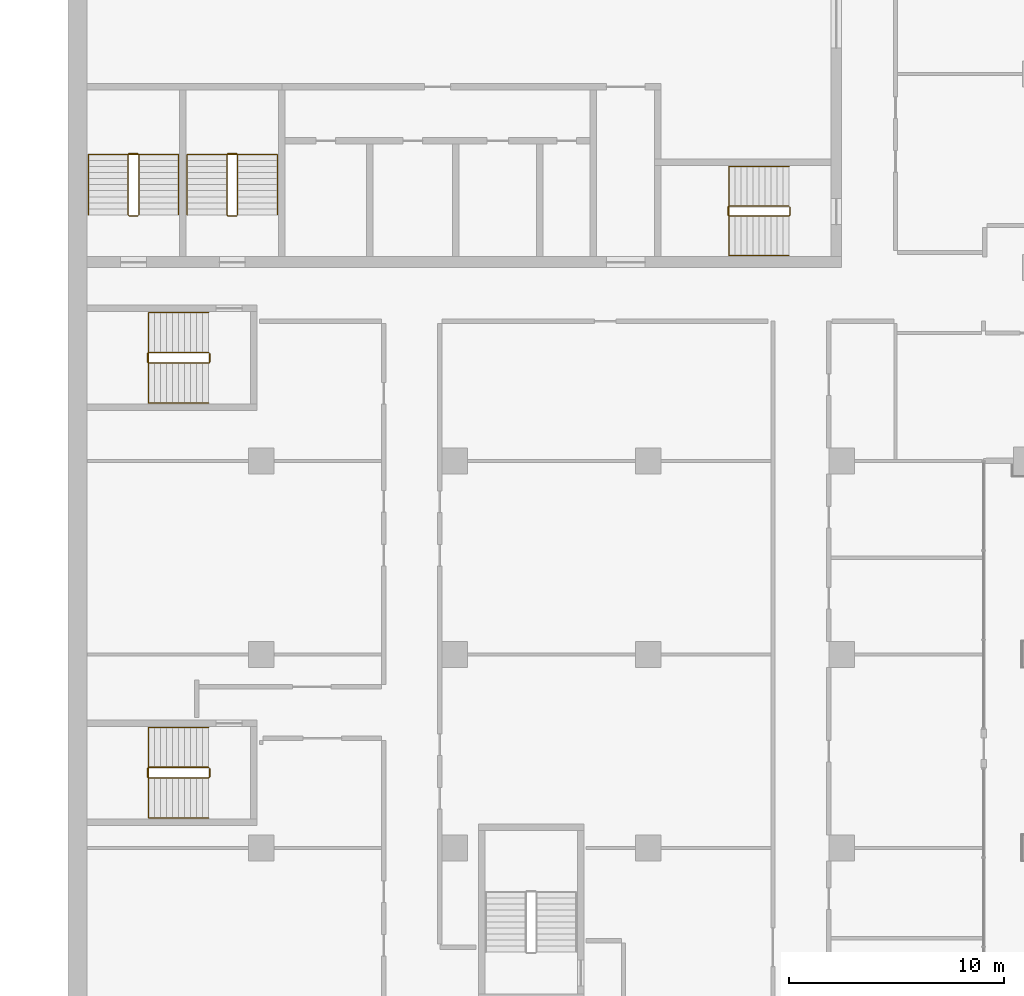
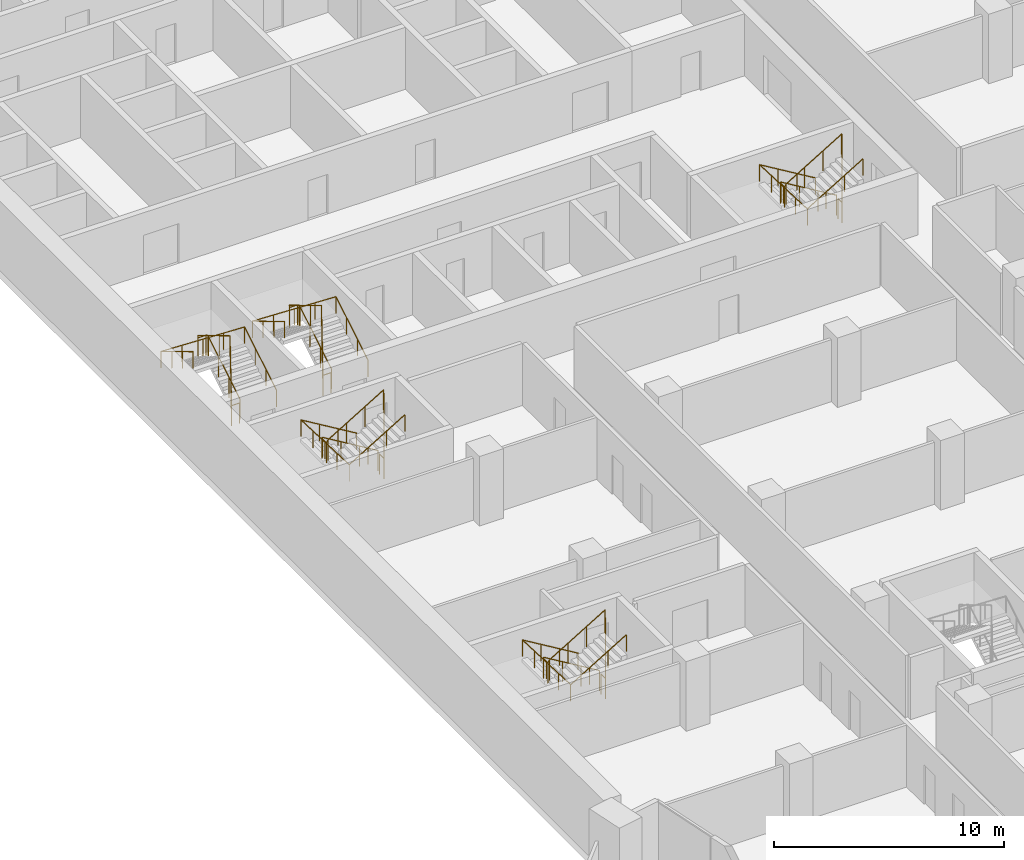
# One storey, part 20 of 22: 10 railings.
"""IFC4 building model written with IfcOpenShell, lengths in metres."""

from ifc_helpers import new_model, si_unit, direction, frame, origin, origin_2d, place, context, subcontext, project, spatial, circle, extrude, material, type_object, element, save


model = new_model("IFC4")

# Units and contexts
model_context = context("Model", 3, precision=1e-05, world=origin(), true_north=direction((0.0, 1.0)))
body_context = subcontext(model_context, "Body", "Model", "MODEL_VIEW")
ifc_project = project(units=[si_unit("LENGTHUNIT", "METRE"), si_unit("AREAUNIT", "SQUARE_METRE"), si_unit("VOLUMEUNIT", "CUBIC_METRE"), si_unit("PLANEANGLEUNIT", "RADIAN"), si_unit("MASSUNIT", "GRAM", prefix="KILO")], contexts=[model_context])

# Site, building, storey
site_placement = place(None, origin())
site = spatial("IfcSite", under=ifc_project, at=site_placement, CompositionType="ELEMENT")
building_placement = place(site_placement, origin())
building = spatial("IfcBuilding", under=site, at=building_placement, Name="Hunhe Ridgeline Campus", CompositionType="ELEMENT")
storey_placement = place(building_placement, frame((0.0, 0.0, 137.5)))
storey = spatial("IfcBuildingStorey", under=building, at=storey_placement, Name="L34", CompositionType="ELEMENT", Elevation=137.5)

# Railings
ifc_material_1 = material(Name="Stainless steel balustrade", Category="steel")
railing_type_1 = type_object("IfcRailingType", Name="Stair guard 1100 stainless", PredefinedType="GUARDRAIL", material=ifc_material_1)
railing_1_placement = place(storey_placement, frame((33.550048828125, 65.85009765625, 0.168212890625)))
element("IfcRailing", 1, at=railing_1_placement, inside=storey, type_object=railing_type_1, Name="L34 stair S2 guard", PredefinedType="GUARDRAIL", context=body_context, shape_type="SweptSolid", body=[
    extrude(circle(Radius=0.02392578125, at=origin_2d()), frame((0.0, 0.0, 1.076171875), z_axis=(-0.857242210791, 0.0, 0.514913383045), x_axis=(0.0, -1.0, 0.0)), (0.0, 0.0, 1.0), 3.266357421875),
    extrude(circle(Radius=0.02392578125, at=origin_2d()), frame((-2.800048828125, 0.0, 2.7578125), z_axis=(-0.707106781187, -0.707106781187, 0.0), x_axis=(0.707106781187, -0.707106781187, 0.0)), (0.0, 0.0, 1.0), 0.07080078125),
    extrude(circle(Radius=0.02392578125, at=origin_2d()), frame((-2.85009765625, -0.050048828125, 2.7578125), z_axis=(0.0, -1.0, 0.0), x_axis=(1.0, 0.0, 0.0)), (0.0, 0.0, 1.0), 0.35009765625),
    extrude(circle(Radius=0.02392578125, at=origin_2d()), frame((-2.85009765625, -0.400146484375, 2.7578125), z_axis=(0.274582412415, -0.274582412415, 0.921525364591), x_axis=(0.707106781187, 0.707106781187, 0.0)), (0.0, 0.0, 1.0), 0.182373046875),
    extrude(circle(Radius=0.02392578125, at=origin_2d()), frame((-2.800048828125, -0.4501953125, 2.92578125), z_axis=(0.857242210791, 0.0, 0.514913383045), x_axis=(0.0, 1.0, 0.0)), (0.0, 0.0, 1.0), 3.266357421875),
    extrude(circle(Radius=0.02392578125, at=origin_2d()), frame((0.0, -0.4501953125, 4.60791015625), z_axis=(0.013524414389, 0.013524414389, -0.999817073484), x_axis=(-0.707106781187, 0.707106781187, 0.0)), (0.0, 0.0, 1.0), 3.70068359375),
    extrude(circle(Radius=0.02392578125, at=origin_2d()), frame((0.050048828125, -0.400146484375, 0.90771484375), z_axis=(0.0, 1.0, 0.0), x_axis=(-1.0, 0.0, 0.0)), (0.0, 0.0, 1.0), 0.35009765625),
    extrude(circle(Radius=0.02099609375, at=origin_2d()), origin(), (0.0, 0.0, 1.0), 1.052001953125),
    extrude(circle(Radius=0.02099609375, at=origin_2d()), frame((-0.933349609375, 0.0, 0.560546875)), (0.0, 0.0, 1.0), 1.052001953125),
    extrude(circle(Radius=0.02099609375, at=origin_2d()), frame((-1.86669921875, 0.0, 1.121337890625)), (0.0, 0.0, 1.0), 1.052001953125),
    extrude(circle(Radius=0.02099609375, at=origin_2d()), frame((-2.800048828125, 0.0, 1.681884765625)), (0.0, 0.0, 1.0), 1.052001953125),
    extrude(circle(Radius=0.02099609375, at=origin_2d()), frame((-2.85009765625, -0.050048828125, 1.681884765625)), (0.0, 0.0, 1.0), 1.052001953125),
    extrude(circle(Radius=0.02099609375, at=origin_2d()), frame((-2.85009765625, -0.400146484375, 1.681884765625)), (0.0, 0.0, 1.0), 1.052001953125),
    extrude(circle(Radius=0.02099609375, at=origin_2d()), frame((-2.800048828125, -0.4501953125, 1.849853515625)), (0.0, 0.0, 1.0), 1.052001953125),
    extrude(circle(Radius=0.02099609375, at=origin_2d()), frame((-1.86669921875, -0.4501953125, 2.410400390625)), (0.0, 0.0, 1.0), 1.052001953125),
    extrude(circle(Radius=0.02099609375, at=origin_2d()), frame((-0.933349609375, -0.4501953125, 2.97119140625)), (0.0, 0.0, 1.0), 1.052001953125),
    extrude(circle(Radius=0.02099609375, at=origin_2d()), frame((0.0, -0.4501953125, 3.53173828125)), (0.0, 0.0, 1.0), 1.052001953125),
    extrude(circle(Radius=0.02099609375, at=origin_2d()), frame((0.012451171875, -0.437744140625, 2.606689453125)), (0.0, 0.0, 1.0), 1.052001953125),
    extrude(circle(Radius=0.02099609375, at=origin_2d()), frame((0.02490234375, -0.42529296875, 1.681640625)), (0.0, 0.0, 1.0), 1.052001953125),
    extrude(circle(Radius=0.02099609375, at=origin_2d()), frame((0.03759765625, -0.41259765625, 0.7568359375)), (0.0, 0.0, 1.0), 1.052001953125),
    extrude(circle(Radius=0.02099609375, at=origin_2d()), frame((0.050048828125, -0.400146484375, -0.168212890625)), (0.0, 0.0, 1.0), 1.052001953125),
    extrude(circle(Radius=0.02099609375, at=origin_2d()), frame((0.050048828125, -0.050048828125, -0.168212890625)), (0.0, 0.0, 1.0), 1.052001953125),
])
railing_2_placement = place(storey_placement, frame((3.300048828125, 65.449951171875, 0.168212890625)))
element("IfcRailing", 2, at=railing_2_placement, inside=storey, type_object=railing_type_1, Name="L34 stair S3 guard", PredefinedType="GUARDRAIL", context=body_context, shape_type="SweptSolid", body=[
    extrude(circle(Radius=0.02392578125, at=origin_2d()), frame((0.0, 0.0, 1.076171875), z_axis=(0.0, 0.857242210791, 0.514913383045), x_axis=(-1.0, 0.0, 0.0)), (0.0, 0.0, 1.0), 3.266357421875),
    extrude(circle(Radius=0.02392578125, at=origin_2d()), frame((0.0, 2.800048828125, 2.7578125), z_axis=(-0.707106781187, 0.707106781187, 0.0), x_axis=(-0.707106781187, -0.707106781187, 0.0)), (0.0, 0.0, 1.0), 0.07080078125),
    extrude(circle(Radius=0.02392578125, at=origin_2d()), frame((-0.050048828125, 2.85009765625, 2.7578125), z_axis=(-1.0, 0.0, 0.0), x_axis=(0.0, -1.0, 0.0)), (0.0, 0.0, 1.0), 0.39990234375),
    extrude(circle(Radius=0.02392578125, at=origin_2d()), frame((-0.449951171875, 2.85009765625, 2.7578125), z_axis=(-0.274582412415, -0.274582412415, 0.921525364591), x_axis=(0.707106781187, -0.707106781187, 0.0)), (0.0, 0.0, 1.0), 0.182373046875),
    extrude(circle(Radius=0.02392578125, at=origin_2d()), frame((-0.5, 2.800048828125, 2.92578125), z_axis=(0.0, -0.857242210791, 0.514913383045), x_axis=(1.0, 0.0, 0.0)), (0.0, 0.0, 1.0), 3.266357421875),
    extrude(circle(Radius=0.02392578125, at=origin_2d()), frame((-0.5, 0.0, 4.60791015625), z_axis=(0.013524414389, -0.013524414389, -0.999817073484), x_axis=(0.707106781187, 0.707106781187, 0.0)), (0.0, 0.0, 1.0), 3.70068359375),
    extrude(circle(Radius=0.02392578125, at=origin_2d()), frame((-0.449951171875, -0.050048828125, 0.90771484375), z_axis=(1.0, 0.0, 0.0), x_axis=(0.0, 1.0, 0.0)), (0.0, 0.0, 1.0), 0.39990234375),
    extrude(circle(Radius=0.02099609375, at=origin_2d()), origin(), (0.0, 0.0, 1.0), 1.052001953125),
    extrude(circle(Radius=0.02099609375, at=origin_2d()), frame((0.0, 0.933349609375, 0.560546875)), (0.0, 0.0, 1.0), 1.052001953125),
    extrude(circle(Radius=0.02099609375, at=origin_2d()), frame((0.0, 1.86669921875, 1.121337890625)), (0.0, 0.0, 1.0), 1.052001953125),
    extrude(circle(Radius=0.02099609375, at=origin_2d()), frame((0.0, 2.800048828125, 1.681884765625)), (0.0, 0.0, 1.0), 1.052001953125),
    extrude(circle(Radius=0.02099609375, at=origin_2d()), frame((-0.050048828125, 2.85009765625, 1.681884765625)), (0.0, 0.0, 1.0), 1.052001953125),
    extrude(circle(Radius=0.02099609375, at=origin_2d()), frame((-0.449951171875, 2.85009765625, 1.681884765625)), (0.0, 0.0, 1.0), 1.052001953125),
    extrude(circle(Radius=0.02099609375, at=origin_2d()), frame((-0.5, 2.800048828125, 1.849853515625)), (0.0, 0.0, 1.0), 1.052001953125),
    extrude(circle(Radius=0.02099609375, at=origin_2d()), frame((-0.5, 1.86669921875, 2.410400390625)), (0.0, 0.0, 1.0), 1.052001953125),
    extrude(circle(Radius=0.02099609375, at=origin_2d()), frame((-0.5, 0.933349609375, 2.97119140625)), (0.0, 0.0, 1.0), 1.052001953125),
    extrude(circle(Radius=0.02099609375, at=origin_2d()), frame((-0.5, 0.0, 3.53173828125)), (0.0, 0.0, 1.0), 1.052001953125),
    extrude(circle(Radius=0.02099609375, at=origin_2d()), frame((-0.487548828125, -0.012451171875, 2.606689453125)), (0.0, 0.0, 1.0), 1.052001953125),
    extrude(circle(Radius=0.02099609375, at=origin_2d()), frame((-0.47509765625, -0.02490234375, 1.681640625)), (0.0, 0.0, 1.0), 1.052001953125),
    extrude(circle(Radius=0.02099609375, at=origin_2d()), frame((-0.46240234375, -0.03759765625, 0.7568359375)), (0.0, 0.0, 1.0), 1.052001953125),
    extrude(circle(Radius=0.02099609375, at=origin_2d()), frame((-0.449951171875, -0.050048828125, -0.168212890625)), (0.0, 0.0, 1.0), 1.052001953125),
    extrude(circle(Radius=0.02099609375, at=origin_2d()), frame((-0.050048828125, -0.050048828125, -0.168212890625)), (0.0, 0.0, 1.0), 1.052001953125),
])
railing_3_placement = place(storey_placement, frame((7.89990234375, 65.449951171875, 0.168212890625)))
element("IfcRailing", 3, at=railing_3_placement, inside=storey, type_object=railing_type_1, Name="L34 stair S4 guard", PredefinedType="GUARDRAIL", context=body_context, shape_type="SweptSolid", body=[
    extrude(circle(Radius=0.02392578125, at=origin_2d()), frame((0.0, 0.0, 1.076171875), z_axis=(0.0, 0.857242210791, 0.514913383045), x_axis=(-1.0, 0.0, 0.0)), (0.0, 0.0, 1.0), 3.266357421875),
    extrude(circle(Radius=0.02392578125, at=origin_2d()), frame((0.0, 2.800048828125, 2.7578125), z_axis=(-0.705375805398, 0.708833529934, 0.0), x_axis=(-0.708833529934, -0.705375805398, 0.0)), (0.0, 0.0, 1.0), 0.070556640625),
    extrude(circle(Radius=0.02392578125, at=origin_2d()), frame((-0.0498046875, 2.85009765625, 2.7578125), z_axis=(-1.0, 0.0, 0.0), x_axis=(0.0, -1.0, 0.0)), (0.0, 0.0, 1.0), 0.400146484375),
    extrude(circle(Radius=0.02392578125, at=origin_2d()), frame((-0.449951171875, 2.85009765625, 2.7578125), z_axis=(-0.274582412415, -0.274582412415, 0.921525364591), x_axis=(0.707106781187, -0.707106781187, 0.0)), (0.0, 0.0, 1.0), 0.182373046875),
    extrude(circle(Radius=0.02392578125, at=origin_2d()), frame((-0.5, 2.800048828125, 2.92578125), z_axis=(0.0, -0.857242210791, 0.514913383045), x_axis=(1.0, 0.0, 0.0)), (0.0, 0.0, 1.0), 3.266357421875),
    extrude(circle(Radius=0.02392578125, at=origin_2d()), frame((-0.5, 0.0, 4.60791015625), z_axis=(0.013524414389, -0.013524414389, -0.999817073484), x_axis=(0.707106781187, 0.707106781187, 0.0)), (0.0, 0.0, 1.0), 3.70068359375),
    extrude(circle(Radius=0.02392578125, at=origin_2d()), frame((-0.449951171875, -0.050048828125, 0.90771484375), z_axis=(1.0, 0.0, 0.0), x_axis=(0.0, 1.0, 0.0)), (0.0, 0.0, 1.0), 0.400146484375),
    extrude(circle(Radius=0.02099609375, at=origin_2d()), origin(), (0.0, 0.0, 1.0), 1.052001953125),
    extrude(circle(Radius=0.02099609375, at=origin_2d()), frame((0.0, 0.933349609375, 0.560546875)), (0.0, 0.0, 1.0), 1.052001953125),
    extrude(circle(Radius=0.02099609375, at=origin_2d()), frame((0.0, 1.86669921875, 1.121337890625)), (0.0, 0.0, 1.0), 1.052001953125),
    extrude(circle(Radius=0.02099609375, at=origin_2d()), frame((0.0, 2.800048828125, 1.681884765625)), (0.0, 0.0, 1.0), 1.052001953125),
    extrude(circle(Radius=0.02099609375, at=origin_2d()), frame((-0.0498046875, 2.85009765625, 1.681884765625)), (0.0, 0.0, 1.0), 1.052001953125),
    extrude(circle(Radius=0.02099609375, at=origin_2d()), frame((-0.449951171875, 2.85009765625, 1.681884765625)), (0.0, 0.0, 1.0), 1.052001953125),
    extrude(circle(Radius=0.02099609375, at=origin_2d()), frame((-0.5, 2.800048828125, 1.849853515625)), (0.0, 0.0, 1.0), 1.052001953125),
    extrude(circle(Radius=0.02099609375, at=origin_2d()), frame((-0.5, 1.86669921875, 2.410400390625)), (0.0, 0.0, 1.0), 1.052001953125),
    extrude(circle(Radius=0.02099609375, at=origin_2d()), frame((-0.5, 0.933349609375, 2.97119140625)), (0.0, 0.0, 1.0), 1.052001953125),
    extrude(circle(Radius=0.02099609375, at=origin_2d()), frame((-0.5, 0.0, 3.53173828125)), (0.0, 0.0, 1.0), 1.052001953125),
    extrude(circle(Radius=0.02099609375, at=origin_2d()), frame((-0.487548828125, -0.012451171875, 2.606689453125)), (0.0, 0.0, 1.0), 1.052001953125),
    extrude(circle(Radius=0.02099609375, at=origin_2d()), frame((-0.47509765625, -0.02490234375, 1.681640625)), (0.0, 0.0, 1.0), 1.052001953125),
    extrude(circle(Radius=0.02099609375, at=origin_2d()), frame((-0.46240234375, -0.03759765625, 0.7568359375)), (0.0, 0.0, 1.0), 1.052001953125),
    extrude(circle(Radius=0.02099609375, at=origin_2d()), frame((-0.449951171875, -0.050048828125, -0.168212890625)), (0.0, 0.0, 1.0), 1.052001953125),
    extrude(circle(Radius=0.02099609375, at=origin_2d()), frame((-0.0498046875, -0.050048828125, -0.168212890625)), (0.0, 0.0, 1.0), 1.052001953125),
])
railing_4_placement = place(storey_placement, frame((6.550048828125, 39.75, 0.168212890625)))
element("IfcRailing", 4, at=railing_4_placement, inside=storey, type_object=railing_type_1, Name="L34 stair W1 guard", PredefinedType="GUARDRAIL", context=body_context, shape_type="SweptSolid", body=[
    extrude(circle(Radius=0.02392578125, at=origin_2d()), frame((0.0, 0.0, 1.076171875), z_axis=(-0.857242210791, 0.0, 0.514913383045), x_axis=(0.0, -1.0, 0.0)), (0.0, 0.0, 1.0), 3.266357421875),
    extrude(circle(Radius=0.02392578125, at=origin_2d()), frame((-2.800048828125, 0.0, 2.7578125), z_axis=(-0.707106781187, -0.707106781187, 0.0), x_axis=(0.707106781187, -0.707106781187, 0.0)), (0.0, 0.0, 1.0), 0.07080078125),
    extrude(circle(Radius=0.02392578125, at=origin_2d()), frame((-2.85009765625, -0.050048828125, 2.7578125), z_axis=(0.0, -1.0, 0.0), x_axis=(1.0, 0.0, 0.0)), (0.0, 0.0, 1.0), 0.39990234375),
    extrude(circle(Radius=0.02392578125, at=origin_2d()), frame((-2.85009765625, -0.449951171875, 2.7578125), z_axis=(0.274582412415, -0.274582412415, 0.921525364591), x_axis=(0.707106781187, 0.707106781187, 0.0)), (0.0, 0.0, 1.0), 0.182373046875),
    extrude(circle(Radius=0.02392578125, at=origin_2d()), frame((-2.800048828125, -0.5, 2.92578125), z_axis=(0.857242210791, 0.0, 0.514913383045), x_axis=(0.0, 1.0, 0.0)), (0.0, 0.0, 1.0), 3.266357421875),
    extrude(circle(Radius=0.02392578125, at=origin_2d()), frame((0.0, -0.5, 4.60791015625), z_axis=(0.013524414389, 0.013524414389, -0.999817073484), x_axis=(-0.707106781187, 0.707106781187, 0.0)), (0.0, 0.0, 1.0), 3.70068359375),
    extrude(circle(Radius=0.02392578125, at=origin_2d()), frame((0.050048828125, -0.449951171875, 0.90771484375), z_axis=(0.0, 1.0, 0.0), x_axis=(-1.0, 0.0, 0.0)), (0.0, 0.0, 1.0), 0.39990234375),
    extrude(circle(Radius=0.02099609375, at=origin_2d()), origin(), (0.0, 0.0, 1.0), 1.052001953125),
    extrude(circle(Radius=0.02099609375, at=origin_2d()), frame((-0.933349609375, 0.0, 0.560546875)), (0.0, 0.0, 1.0), 1.052001953125),
    extrude(circle(Radius=0.02099609375, at=origin_2d()), frame((-1.86669921875, 0.0, 1.121337890625)), (0.0, 0.0, 1.0), 1.052001953125),
    extrude(circle(Radius=0.02099609375, at=origin_2d()), frame((-2.800048828125, 0.0, 1.681884765625)), (0.0, 0.0, 1.0), 1.052001953125),
    extrude(circle(Radius=0.02099609375, at=origin_2d()), frame((-2.85009765625, -0.050048828125, 1.681884765625)), (0.0, 0.0, 1.0), 1.052001953125),
    extrude(circle(Radius=0.02099609375, at=origin_2d()), frame((-2.85009765625, -0.449951171875, 1.681884765625)), (0.0, 0.0, 1.0), 1.052001953125),
    extrude(circle(Radius=0.02099609375, at=origin_2d()), frame((-2.800048828125, -0.5, 1.849853515625)), (0.0, 0.0, 1.0), 1.052001953125),
    extrude(circle(Radius=0.02099609375, at=origin_2d()), frame((-1.86669921875, -0.5, 2.410400390625)), (0.0, 0.0, 1.0), 1.052001953125),
    extrude(circle(Radius=0.02099609375, at=origin_2d()), frame((-0.933349609375, -0.5, 2.97119140625)), (0.0, 0.0, 1.0), 1.052001953125),
    extrude(circle(Radius=0.02099609375, at=origin_2d()), frame((0.0, -0.5, 3.53173828125)), (0.0, 0.0, 1.0), 1.052001953125),
    extrude(circle(Radius=0.02099609375, at=origin_2d()), frame((0.012451171875, -0.487548828125, 2.606689453125)), (0.0, 0.0, 1.0), 1.052001953125),
    extrude(circle(Radius=0.02099609375, at=origin_2d()), frame((0.02490234375, -0.47509765625, 1.681640625)), (0.0, 0.0, 1.0), 1.052001953125),
    extrude(circle(Radius=0.02099609375, at=origin_2d()), frame((0.03759765625, -0.46240234375, 0.7568359375)), (0.0, 0.0, 1.0), 1.052001953125),
    extrude(circle(Radius=0.02099609375, at=origin_2d()), frame((0.050048828125, -0.449951171875, -0.168212890625)), (0.0, 0.0, 1.0), 1.052001953125),
    extrude(circle(Radius=0.02099609375, at=origin_2d()), frame((0.050048828125, -0.050048828125, -0.168212890625)), (0.0, 0.0, 1.0), 1.052001953125),
])
railing_5_placement = place(storey_placement, frame((6.550048828125, 59.050048828125, 0.168212890625)))
element("IfcRailing", 5, at=railing_5_placement, inside=storey, type_object=railing_type_1, Name="L34 stair W2 guard", PredefinedType="GUARDRAIL", context=body_context, shape_type="SweptSolid", body=[
    extrude(circle(Radius=0.02392578125, at=origin_2d()), frame((0.0, 0.0, 1.076171875), z_axis=(-0.857242210791, 0.0, 0.514913383045), x_axis=(0.0, -1.0, 0.0)), (0.0, 0.0, 1.0), 3.266357421875),
    extrude(circle(Radius=0.02392578125, at=origin_2d()), frame((-2.800048828125, 0.0, 2.7578125), z_axis=(-0.707106781187, -0.707106781187, 0.0), x_axis=(0.707106781187, -0.707106781187, 0.0)), (0.0, 0.0, 1.0), 0.07080078125),
    extrude(circle(Radius=0.02392578125, at=origin_2d()), frame((-2.85009765625, -0.050048828125, 2.7578125), z_axis=(0.0, -1.0, 0.0), x_axis=(1.0, 0.0, 0.0)), (0.0, 0.0, 1.0), 0.39990234375),
    extrude(circle(Radius=0.02392578125, at=origin_2d()), frame((-2.85009765625, -0.449951171875, 2.7578125), z_axis=(0.274582412415, -0.274582412415, 0.921525364591), x_axis=(0.707106781187, 0.707106781187, 0.0)), (0.0, 0.0, 1.0), 0.182373046875),
    extrude(circle(Radius=0.02392578125, at=origin_2d()), frame((-2.800048828125, -0.5, 2.92578125), z_axis=(0.857242210791, 0.0, 0.514913383045), x_axis=(0.0, 1.0, 0.0)), (0.0, 0.0, 1.0), 3.266357421875),
    extrude(circle(Radius=0.02392578125, at=origin_2d()), frame((0.0, -0.5, 4.60791015625), z_axis=(0.013524414389, 0.013524414389, -0.999817073484), x_axis=(-0.707106781187, 0.707106781187, 0.0)), (0.0, 0.0, 1.0), 3.70068359375),
    extrude(circle(Radius=0.02392578125, at=origin_2d()), frame((0.050048828125, -0.449951171875, 0.90771484375), z_axis=(0.0, 1.0, 0.0), x_axis=(-1.0, 0.0, 0.0)), (0.0, 0.0, 1.0), 0.39990234375),
    extrude(circle(Radius=0.02099609375, at=origin_2d()), origin(), (0.0, 0.0, 1.0), 1.052001953125),
    extrude(circle(Radius=0.02099609375, at=origin_2d()), frame((-0.933349609375, 0.0, 0.560546875)), (0.0, 0.0, 1.0), 1.052001953125),
    extrude(circle(Radius=0.02099609375, at=origin_2d()), frame((-1.86669921875, 0.0, 1.121337890625)), (0.0, 0.0, 1.0), 1.052001953125),
    extrude(circle(Radius=0.02099609375, at=origin_2d()), frame((-2.800048828125, 0.0, 1.681884765625)), (0.0, 0.0, 1.0), 1.052001953125),
    extrude(circle(Radius=0.02099609375, at=origin_2d()), frame((-2.85009765625, -0.050048828125, 1.681884765625)), (0.0, 0.0, 1.0), 1.052001953125),
    extrude(circle(Radius=0.02099609375, at=origin_2d()), frame((-2.85009765625, -0.449951171875, 1.681884765625)), (0.0, 0.0, 1.0), 1.052001953125),
    extrude(circle(Radius=0.02099609375, at=origin_2d()), frame((-2.800048828125, -0.5, 1.849853515625)), (0.0, 0.0, 1.0), 1.052001953125),
    extrude(circle(Radius=0.02099609375, at=origin_2d()), frame((-1.86669921875, -0.5, 2.410400390625)), (0.0, 0.0, 1.0), 1.052001953125),
    extrude(circle(Radius=0.02099609375, at=origin_2d()), frame((-0.933349609375, -0.5, 2.97119140625)), (0.0, 0.0, 1.0), 1.052001953125),
    extrude(circle(Radius=0.02099609375, at=origin_2d()), frame((0.0, -0.5, 3.53173828125)), (0.0, 0.0, 1.0), 1.052001953125),
    extrude(circle(Radius=0.02099609375, at=origin_2d()), frame((0.012451171875, -0.487548828125, 2.606689453125)), (0.0, 0.0, 1.0), 1.052001953125),
    extrude(circle(Radius=0.02099609375, at=origin_2d()), frame((0.02490234375, -0.47509765625, 1.681640625)), (0.0, 0.0, 1.0), 1.052001953125),
    extrude(circle(Radius=0.02099609375, at=origin_2d()), frame((0.03759765625, -0.46240234375, 0.7568359375)), (0.0, 0.0, 1.0), 1.052001953125),
    extrude(circle(Radius=0.02099609375, at=origin_2d()), frame((0.050048828125, -0.449951171875, -0.168212890625)), (0.0, 0.0, 1.0), 1.052001953125),
    extrude(circle(Radius=0.02099609375, at=origin_2d()), frame((0.050048828125, -0.050048828125, -0.168212890625)), (0.0, 0.0, 1.0), 1.052001953125),
])
ifc_material_2 = material(Name="Stainless steel handrail", Category="steel")
railing_type_2 = type_object("IfcRailingType", Name="Stair handrail 900 stainless", PredefinedType="HANDRAIL", material=ifc_material_2)
railing_6_placement = place(storey_placement, frame((33.550048828125, 67.699951171875, 0.168212890625)))
element("IfcRailing", 6, at=railing_6_placement, inside=storey, type_object=railing_type_2, Name="L34 stair S2 handrail", PredefinedType="HANDRAIL", context=body_context, shape_type="SweptSolid", body=[
    extrude(circle(Radius=0.02392578125, at=origin_2d()), frame((0.0, 0.0, 0.8759765625), z_axis=(-0.857242210791, 0.0, 0.514913383045), x_axis=(0.0, -1.0, 0.0)), (0.0, 0.0, 1.0), 3.266357421875),
    extrude(circle(Radius=0.02392578125, at=origin_2d()), frame((-2.800048828125, 0.0, 2.5576171875), z_axis=(0.0, -0.999181878101, 0.040442236271), x_axis=(1.0, 0.0, 0.0)), (0.0, 0.0, 1.0), 4.1533203125),
    extrude(circle(Radius=0.02392578125, at=origin_2d()), frame((-2.800048828125, -4.14990234375, 2.7255859375), z_axis=(0.857242210791, 0.0, 0.514913383045), x_axis=(0.0, 1.0, 0.0)), (0.0, 0.0, 1.0), 3.266357421875),
    extrude(circle(Radius=0.02099609375, at=origin_2d()), origin(), (0.0, 0.0, 1.0), 0.851806640625),
    extrude(circle(Radius=0.02099609375, at=origin_2d()), frame((-0.933349609375, 0.0, 0.560546875)), (0.0, 0.0, 1.0), 0.851806640625),
    extrude(circle(Radius=0.02099609375, at=origin_2d()), frame((-1.86669921875, 0.0, 1.121337890625)), (0.0, 0.0, 1.0), 0.851806640625),
    extrude(circle(Radius=0.02099609375, at=origin_2d()), frame((-2.800048828125, 0.0, 1.681884765625)), (0.0, 0.0, 1.0), 0.851806640625),
    extrude(circle(Radius=0.02099609375, at=origin_2d()), frame((-2.800048828125, -1.03759765625, 1.723876953125)), (0.0, 0.0, 1.0), 0.851806640625),
    extrude(circle(Radius=0.02099609375, at=origin_2d()), frame((-2.800048828125, -2.074951171875, 1.765869140625)), (0.0, 0.0, 1.0), 0.851806640625),
    extrude(circle(Radius=0.02099609375, at=origin_2d()), frame((-2.800048828125, -3.1123046875, 1.807861328125)), (0.0, 0.0, 1.0), 0.851806640625),
    extrude(circle(Radius=0.02099609375, at=origin_2d()), frame((-2.800048828125, -4.14990234375, 1.849853515625)), (0.0, 0.0, 1.0), 0.851806640625),
    extrude(circle(Radius=0.02099609375, at=origin_2d()), frame((-1.86669921875, -4.14990234375, 2.410400390625)), (0.0, 0.0, 1.0), 0.851806640625),
    extrude(circle(Radius=0.02099609375, at=origin_2d()), frame((-0.933349609375, -4.14990234375, 2.97119140625)), (0.0, 0.0, 1.0), 0.851806640625),
    extrude(circle(Radius=0.02099609375, at=origin_2d()), frame((0.0, -4.14990234375, 3.53173828125)), (0.0, 0.0, 1.0), 0.851806640625),
])
railing_7_placement = place(storey_placement, frame((5.14990234375, 65.449951171875, 0.168212890625)))
element("IfcRailing", 7, at=railing_7_placement, inside=storey, type_object=railing_type_2, Name="L34 stair S3 handrail", PredefinedType="HANDRAIL", context=body_context, shape_type="SweptSolid", body=[
    extrude(circle(Radius=0.02392578125, at=origin_2d()), frame((0.0, 0.0, 0.8759765625), z_axis=(0.0, 0.857242210791, 0.514913383045), x_axis=(-1.0, 0.0, 0.0)), (0.0, 0.0, 1.0), 3.266357421875),
    extrude(circle(Radius=0.02392578125, at=origin_2d()), frame((0.0, 2.800048828125, 2.5576171875), z_axis=(-0.99920123705, 0.0, 0.039961079526), x_axis=(0.0, -1.0, 0.0)), (0.0, 0.0, 1.0), 4.203369140625),
    extrude(circle(Radius=0.02392578125, at=origin_2d()), frame((-4.199951171875, 2.800048828125, 2.7255859375), z_axis=(0.0, -0.857242210791, 0.514913383045), x_axis=(1.0, 0.0, 0.0)), (0.0, 0.0, 1.0), 3.266357421875),
    extrude(circle(Radius=0.02099609375, at=origin_2d()), origin(), (0.0, 0.0, 1.0), 0.851806640625),
    extrude(circle(Radius=0.02099609375, at=origin_2d()), frame((0.0, 0.933349609375, 0.560546875)), (0.0, 0.0, 1.0), 0.851806640625),
    extrude(circle(Radius=0.02099609375, at=origin_2d()), frame((0.0, 1.86669921875, 1.121337890625)), (0.0, 0.0, 1.0), 0.851806640625),
    extrude(circle(Radius=0.02099609375, at=origin_2d()), frame((0.0, 2.800048828125, 1.681884765625)), (0.0, 0.0, 1.0), 0.851806640625),
    extrude(circle(Radius=0.02099609375, at=origin_2d()), frame((-1.050048828125, 2.800048828125, 1.723876953125)), (0.0, 0.0, 1.0), 0.851806640625),
    extrude(circle(Radius=0.02099609375, at=origin_2d()), frame((-2.10009765625, 2.800048828125, 1.765869140625)), (0.0, 0.0, 1.0), 0.851806640625),
    extrude(circle(Radius=0.02099609375, at=origin_2d()), frame((-3.14990234375, 2.800048828125, 1.807861328125)), (0.0, 0.0, 1.0), 0.851806640625),
    extrude(circle(Radius=0.02099609375, at=origin_2d()), frame((-4.199951171875, 2.800048828125, 1.849853515625)), (0.0, 0.0, 1.0), 0.851806640625),
    extrude(circle(Radius=0.02099609375, at=origin_2d()), frame((-4.199951171875, 1.86669921875, 2.410400390625)), (0.0, 0.0, 1.0), 0.851806640625),
    extrude(circle(Radius=0.02099609375, at=origin_2d()), frame((-4.199951171875, 0.933349609375, 2.97119140625)), (0.0, 0.0, 1.0), 0.851806640625),
    extrude(circle(Radius=0.02099609375, at=origin_2d()), frame((-4.199951171875, 0.0, 3.53173828125)), (0.0, 0.0, 1.0), 0.851806640625),
])
railing_8_placement = place(storey_placement, frame((9.75, 65.449951171875, 0.168212890625)))
element("IfcRailing", 8, at=railing_8_placement, inside=storey, type_object=railing_type_2, Name="L34 stair S4 handrail", PredefinedType="HANDRAIL", context=body_context, shape_type="SweptSolid", body=[
    extrude(circle(Radius=0.02392578125, at=origin_2d()), frame((0.0, 0.0, 0.8759765625), z_axis=(0.0, 0.857242210791, 0.514913383045), x_axis=(-1.0, 0.0, 0.0)), (0.0, 0.0, 1.0), 3.266357421875),
    extrude(circle(Radius=0.02392578125, at=origin_2d()), frame((0.0, 2.800048828125, 2.5576171875), z_axis=(-0.99920123705, 0.0, 0.039961079526), x_axis=(0.0, -1.0, 0.0)), (0.0, 0.0, 1.0), 4.203369140625),
    extrude(circle(Radius=0.02392578125, at=origin_2d()), frame((-4.199951171875, 2.800048828125, 2.7255859375), z_axis=(0.0, -0.857242210791, 0.514913383045), x_axis=(1.0, 0.0, 0.0)), (0.0, 0.0, 1.0), 3.266357421875),
    extrude(circle(Radius=0.02099609375, at=origin_2d()), origin(), (0.0, 0.0, 1.0), 0.851806640625),
    extrude(circle(Radius=0.02099609375, at=origin_2d()), frame((0.0, 0.933349609375, 0.560546875)), (0.0, 0.0, 1.0), 0.851806640625),
    extrude(circle(Radius=0.02099609375, at=origin_2d()), frame((0.0, 1.86669921875, 1.121337890625)), (0.0, 0.0, 1.0), 0.851806640625),
    extrude(circle(Radius=0.02099609375, at=origin_2d()), frame((0.0, 2.800048828125, 1.681884765625)), (0.0, 0.0, 1.0), 0.851806640625),
    extrude(circle(Radius=0.02099609375, at=origin_2d()), frame((-1.050048828125, 2.800048828125, 1.723876953125)), (0.0, 0.0, 1.0), 0.851806640625),
    extrude(circle(Radius=0.02099609375, at=origin_2d()), frame((-2.10009765625, 2.800048828125, 1.765869140625)), (0.0, 0.0, 1.0), 0.851806640625),
    extrude(circle(Radius=0.02099609375, at=origin_2d()), frame((-3.14990234375, 2.800048828125, 1.807861328125)), (0.0, 0.0, 1.0), 0.851806640625),
    extrude(circle(Radius=0.02099609375, at=origin_2d()), frame((-4.199951171875, 2.800048828125, 1.849853515625)), (0.0, 0.0, 1.0), 0.851806640625),
    extrude(circle(Radius=0.02099609375, at=origin_2d()), frame((-4.199951171875, 1.86669921875, 2.410400390625)), (0.0, 0.0, 1.0), 0.851806640625),
    extrude(circle(Radius=0.02099609375, at=origin_2d()), frame((-4.199951171875, 0.933349609375, 2.97119140625)), (0.0, 0.0, 1.0), 0.851806640625),
    extrude(circle(Radius=0.02099609375, at=origin_2d()), frame((-4.199951171875, 0.0, 3.53173828125)), (0.0, 0.0, 1.0), 0.851806640625),
])
railing_9_placement = place(storey_placement, frame((6.550048828125, 41.60009765625, 0.168212890625)))
element("IfcRailing", 9, at=railing_9_placement, inside=storey, type_object=railing_type_2, Name="L34 stair W1 handrail", PredefinedType="HANDRAIL", context=body_context, shape_type="SweptSolid", body=[
    extrude(circle(Radius=0.02392578125, at=origin_2d()), frame((0.0, 0.0, 0.8759765625), z_axis=(-0.857242210791, 0.0, 0.514913383045), x_axis=(0.0, -1.0, 0.0)), (0.0, 0.0, 1.0), 3.266357421875),
    extrude(circle(Radius=0.02392578125, at=origin_2d()), frame((-2.800048828125, 0.0, 2.5576171875), z_axis=(0.0, -0.999201329794, 0.039958760457), x_axis=(1.0, 0.0, 0.0)), (0.0, 0.0, 1.0), 4.20361328125),
    extrude(circle(Radius=0.02392578125, at=origin_2d()), frame((-2.800048828125, -4.2001953125, 2.7255859375), z_axis=(0.857242210791, 0.0, 0.514913383045), x_axis=(0.0, 1.0, 0.0)), (0.0, 0.0, 1.0), 3.266357421875),
    extrude(circle(Radius=0.02099609375, at=origin_2d()), origin(), (0.0, 0.0, 1.0), 0.851806640625),
    extrude(circle(Radius=0.02099609375, at=origin_2d()), frame((-0.933349609375, 0.0, 0.560546875)), (0.0, 0.0, 1.0), 0.851806640625),
    extrude(circle(Radius=0.02099609375, at=origin_2d()), frame((-1.86669921875, 0.0, 1.121337890625)), (0.0, 0.0, 1.0), 0.851806640625),
    extrude(circle(Radius=0.02099609375, at=origin_2d()), frame((-2.800048828125, 0.0, 1.681884765625)), (0.0, 0.0, 1.0), 0.851806640625),
    extrude(circle(Radius=0.02099609375, at=origin_2d()), frame((-2.800048828125, -1.050048828125, 1.723876953125)), (0.0, 0.0, 1.0), 0.851806640625),
    extrude(circle(Radius=0.02099609375, at=origin_2d()), frame((-2.800048828125, -2.10009765625, 1.765869140625)), (0.0, 0.0, 1.0), 0.851806640625),
    extrude(circle(Radius=0.02099609375, at=origin_2d()), frame((-2.800048828125, -3.150146484375, 1.807861328125)), (0.0, 0.0, 1.0), 0.851806640625),
    extrude(circle(Radius=0.02099609375, at=origin_2d()), frame((-2.800048828125, -4.2001953125, 1.849853515625)), (0.0, 0.0, 1.0), 0.851806640625),
    extrude(circle(Radius=0.02099609375, at=origin_2d()), frame((-1.86669921875, -4.2001953125, 2.410400390625)), (0.0, 0.0, 1.0), 0.851806640625),
    extrude(circle(Radius=0.02099609375, at=origin_2d()), frame((-0.933349609375, -4.2001953125, 2.97119140625)), (0.0, 0.0, 1.0), 0.851806640625),
    extrude(circle(Radius=0.02099609375, at=origin_2d()), frame((0.0, -4.2001953125, 3.53173828125)), (0.0, 0.0, 1.0), 0.851806640625),
])
railing_10_placement = place(storey_placement, frame((6.550048828125, 60.89990234375, 0.168212890625)))
element("IfcRailing", 10, at=railing_10_placement, inside=storey, type_object=railing_type_2, Name="L34 stair W2 handrail", PredefinedType="HANDRAIL", context=body_context, shape_type="SweptSolid", body=[
    extrude(circle(Radius=0.02392578125, at=origin_2d()), frame((0.0, 0.0, 0.8759765625), z_axis=(-0.857242210791, 0.0, 0.514913383045), x_axis=(0.0, -1.0, 0.0)), (0.0, 0.0, 1.0), 3.266357421875),
    extrude(circle(Radius=0.02392578125, at=origin_2d()), frame((-2.800048828125, 0.0, 2.5576171875), z_axis=(0.0, -0.99920123705, 0.039961079526), x_axis=(1.0, 0.0, 0.0)), (0.0, 0.0, 1.0), 4.203369140625),
    extrude(circle(Radius=0.02392578125, at=origin_2d()), frame((-2.800048828125, -4.199951171875, 2.7255859375), z_axis=(0.857242210791, 0.0, 0.514913383045), x_axis=(0.0, 1.0, 0.0)), (0.0, 0.0, 1.0), 3.266357421875),
    extrude(circle(Radius=0.02099609375, at=origin_2d()), origin(), (0.0, 0.0, 1.0), 0.851806640625),
    extrude(circle(Radius=0.02099609375, at=origin_2d()), frame((-0.933349609375, 0.0, 0.560546875)), (0.0, 0.0, 1.0), 0.851806640625),
    extrude(circle(Radius=0.02099609375, at=origin_2d()), frame((-1.86669921875, 0.0, 1.121337890625)), (0.0, 0.0, 1.0), 0.851806640625),
    extrude(circle(Radius=0.02099609375, at=origin_2d()), frame((-2.800048828125, 0.0, 1.681884765625)), (0.0, 0.0, 1.0), 0.851806640625),
    extrude(circle(Radius=0.02099609375, at=origin_2d()), frame((-2.800048828125, -1.050048828125, 1.723876953125)), (0.0, 0.0, 1.0), 0.851806640625),
    extrude(circle(Radius=0.02099609375, at=origin_2d()), frame((-2.800048828125, -2.10009765625, 1.765869140625)), (0.0, 0.0, 1.0), 0.851806640625),
    extrude(circle(Radius=0.02099609375, at=origin_2d()), frame((-2.800048828125, -3.14990234375, 1.807861328125)), (0.0, 0.0, 1.0), 0.851806640625),
    extrude(circle(Radius=0.02099609375, at=origin_2d()), frame((-2.800048828125, -4.199951171875, 1.849853515625)), (0.0, 0.0, 1.0), 0.851806640625),
    extrude(circle(Radius=0.02099609375, at=origin_2d()), frame((-1.86669921875, -4.199951171875, 2.410400390625)), (0.0, 0.0, 1.0), 0.851806640625),
    extrude(circle(Radius=0.02099609375, at=origin_2d()), frame((-0.933349609375, -4.199951171875, 2.97119140625)), (0.0, 0.0, 1.0), 0.851806640625),
    extrude(circle(Radius=0.02099609375, at=origin_2d()), frame((0.0, -4.199951171875, 3.53173828125)), (0.0, 0.0, 1.0), 0.851806640625),
])

save(model, "model.ifc")
